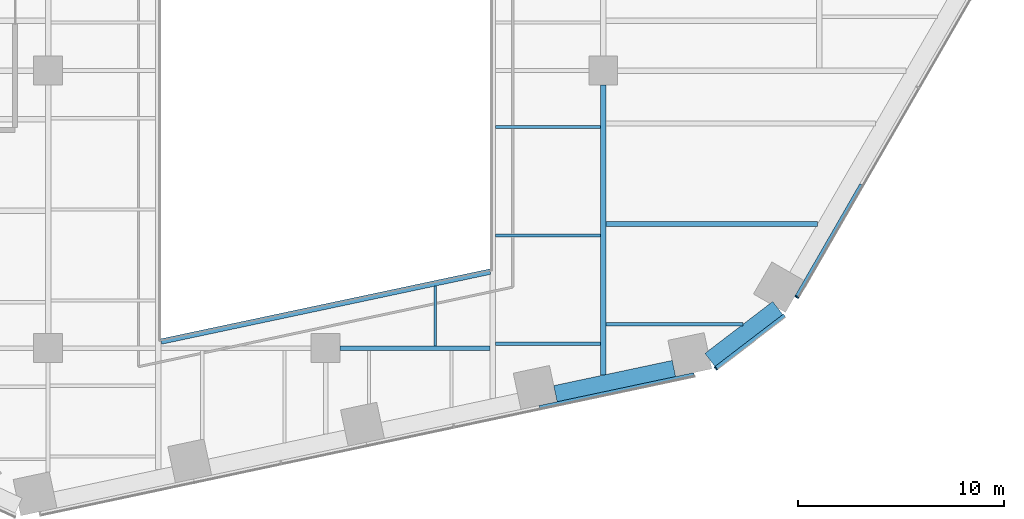
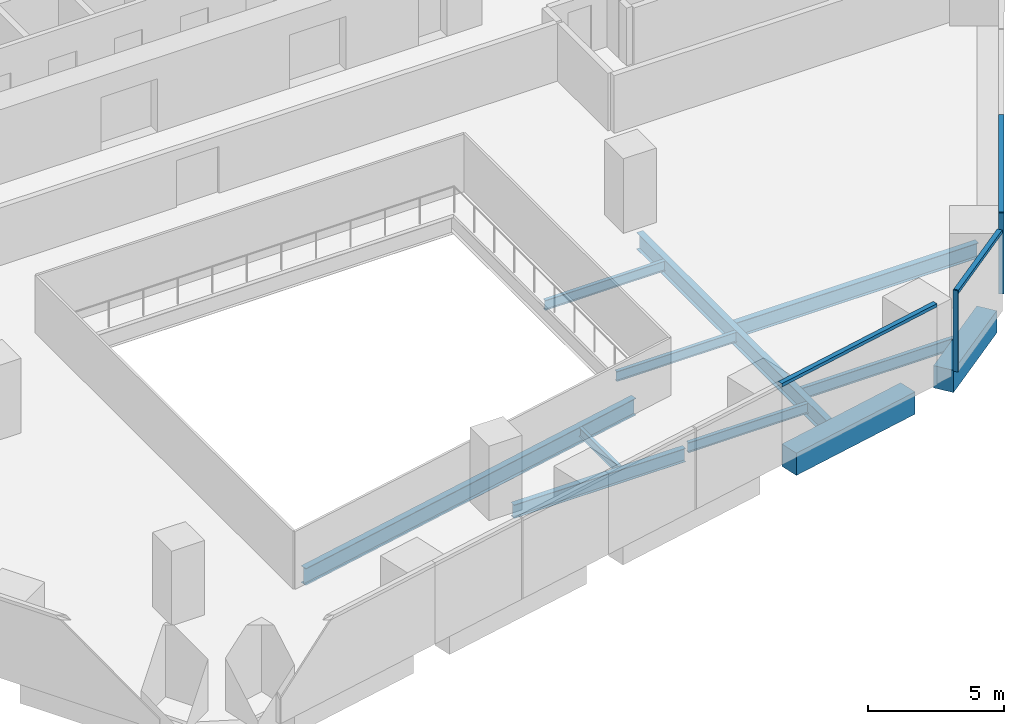
# One storey, part 5 of 20: 11 beams, 5 members, 3 elements without a shape of their own.
"""IFC4 building model written with IfcOpenShell, lengths in metres."""

from ifc_helpers import new_model, si_unit, direction, frame, origin, origin_2d, place, context, subcontext, project, spatial, rectangle, i_section, extrude, material, layer, layer_set, material_profile, profile_set, type_object, element, aggregate, save


model = new_model("IFC4")

# Units and contexts
model_context = context("Model", 3, precision=1e-05, world=origin(), true_north=direction((0.0, 1.0)))
body_context = subcontext(model_context, "Body", "Model", "MODEL_VIEW")
ifc_project = project(units=[si_unit("LENGTHUNIT", "METRE"), si_unit("AREAUNIT", "SQUARE_METRE"), si_unit("VOLUMEUNIT", "CUBIC_METRE"), si_unit("PLANEANGLEUNIT", "RADIAN"), si_unit("MASSUNIT", "GRAM", prefix="KILO")], contexts=[model_context])

# Site, building, storey
site_placement = place(None, origin())
site = spatial("IfcSite", under=ifc_project, at=site_placement, CompositionType="ELEMENT")
building_placement = place(site_placement, origin())
building = spatial("IfcBuilding", under=site, at=building_placement, Name="Isthmus Gate Tower", CompositionType="ELEMENT")
storey_placement = place(building_placement, frame((0.0, 0.0, 72.5)))
storey = spatial("IfcBuildingStorey", under=building, at=storey_placement, Name="L16", CompositionType="ELEMENT", Elevation=72.5)

# Curtain wall, member
ifc_material_1 = material(Name="Aluminium, pale champagne anodised", Category="aluminium")
ifc_layer = layer(ifc_material_1, 0.199951171875)
ifc_layer_set = layer_set([ifc_layer], Name="CW-1 UNITISED CURTAIN WALL 200 DEEP")
curtain_wall_type = type_object("IfcCurtainWallType", Name="CW-1 UNITISED CURTAIN WALL 200 DEEP", PredefinedType="NOTDEFINED", material=ifc_layer_set)
curtain_wall_1_placement = place(storey_placement, origin())
curtain_wall_1 = element("IfcCurtainWall", 1, at=curtain_wall_1_placement, inside=storey, type_object=curtain_wall_type, Name="CW-1 S-SE L16", PredefinedType="NOTDEFINED")
ifc_material_2 = material(Name="Aluminium, pale champagne anodised", Category="aluminium")
ifc_material_profile_1 = material_profile(ifc_material_2, rectangle(XDim=0.06005859375, YDim=0.199951171875, at=origin_2d()), Name="60x200")
ifc_profile_set_1 = profile_set([ifc_material_profile_1], Name="Aluminium, pale champagne anodised")
member_type_1 = type_object("IfcMemberType", Name="CW-1 MULLION 60 X 200", PredefinedType="MULLION", material=ifc_profile_set_1)
member_1_placement = place(storey_placement, frame((18.978759765625, -27.982421875, 0.0), z_axis=(0.0, 0.0, 1.0), x_axis=(0.794188594387, 0.607671355706, 0.0)))
member_1 = element("IfcMember", 2, at=member_1_placement, type_object=member_type_1, Name="CW-1 mullion", PredefinedType="MULLION", context=body_context, shape_type="SweptSolid", body=[
    extrude(rectangle(XDim=0.06005859375, YDim=0.199951171875, at=origin_2d()), origin(), (0.0, 0.0, 1.0), 3.64990234375),
])

curtain_wall_2_placement = place(storey_placement, origin())
curtain_wall_2 = element("IfcCurtainWall", 3, at=curtain_wall_2_placement, inside=storey, type_object=curtain_wall_type, Name="CW-1 SE L16", PredefinedType="NOTDEFINED")
member_2_placement = place(storey_placement, frame((22.91357421875, -24.5126953125, 0.0), z_axis=(0.0, 0.0, 1.0), x_axis=(0.5, 0.866025403784, 0.0)))
member_2 = element("IfcMember", 4, at=member_2_placement, type_object=member_type_1, Name="CW-1 mullion", PredefinedType="MULLION", context=body_context, shape_type="SweptSolid", body=[
    extrude(rectangle(XDim=0.06005859375, YDim=0.199951171875, at=origin_2d()), origin(), (0.0, 0.0, 1.0), 3.64990234375),
])

curtain_wall_3_placement = place(storey_placement, origin())
curtain_wall_3 = element("IfcCurtainWall", 5, at=curtain_wall_3_placement, inside=storey, type_object=curtain_wall_type, Name="CW-1 S L16", PredefinedType="NOTDEFINED")
ifc_material_3 = material(Name="Aluminium, pale champagne anodised", Category="aluminium")
ifc_material_profile_2 = material_profile(ifc_material_3, rectangle(XDim=0.199951171875, YDim=0.14990234375, at=origin_2d()), Name="200x150")
ifc_profile_set_2 = profile_set([ifc_material_profile_2], Name="Aluminium, pale champagne anodised")
member_type_2 = type_object("IfcMemberType", Name="CW-1 TRANSOM 200 X 150", PredefinedType="USERDEFINED", material=ifc_profile_set_2)
member_3_placement = place(storey_placement, frame((10.400146484375, -29.8916015625, 3.574951171875), z_axis=(0.978149085817, 0.207904703929, 0.0), x_axis=(-0.207904703929, 0.978149085817, 0.0)))
member_3 = element("IfcMember", 6, at=member_3_placement, type_object=member_type_2, Name="CW-1 transom", ObjectType="TRANSOM", PredefinedType="USERDEFINED", context=body_context, shape_type="SweptSolid", body=[
    extrude(rectangle(XDim=0.199951171875, YDim=0.14990234375, at=origin_2d()), origin(), (0.0, 0.0, 1.0), 7.689208984375),
])
aggregate(curtain_wall_3, [member_3])

# Member
member_4_placement = place(storey_placement, frame((19.002685546875, -27.96435546875, 3.574951171875), z_axis=(0.794175498212, 0.607688471209, 0.0), x_axis=(-0.607688471209, 0.794175498212, 0.0)))
member_4 = element("IfcMember", 7, at=member_4_placement, type_object=member_type_2, Name="CW-1 transom", ObjectType="TRANSOM", PredefinedType="USERDEFINED", context=body_context, shape_type="SweptSolid", body=[
    extrude(rectangle(XDim=0.199951171875, YDim=0.14990234375, at=origin_2d()), origin(), (0.0, 0.0, 1.0), 4.181396484375),
])

aggregate(curtain_wall_1, [member_1, member_4])

member_5_placement = place(storey_placement, frame((22.928466796875, -24.486572265625, 3.574951171875), z_axis=(0.50002426866, 0.866011391814, 0.0), x_axis=(-0.866011391814, 0.50002426866, 0.0)))
member_5 = element("IfcMember", 8, at=member_5_placement, type_object=member_type_2, Name="CW-1 transom", ObjectType="TRANSOM", PredefinedType="USERDEFINED", context=body_context, shape_type="SweptSolid", body=[
    extrude(rectangle(XDim=0.199951171875, YDim=0.14990234375, at=origin_2d()), origin(), (0.0, 0.0, 1.0), 6.278564453125),
])

aggregate(curtain_wall_2, [member_2, member_5])

# Beams
ifc_material_4 = material(Name="Concrete f'c 70 MPa", Category="concrete")
ifc_material_profile_3 = material_profile(ifc_material_4, rectangle(XDim=0.800048828125, YDim=1.0, at=origin_2d()), Name="RC 800X1000")
ifc_profile_set_3 = profile_set([ifc_material_profile_3], Name="Concrete f'c 70 MPa")
beam_type_1 = type_object("IfcBeamType", Name="RC SPANDREL 800 X 1000", PredefinedType="SPANDREL", material=ifc_profile_set_3)
beam_1_placement = place(storey_placement, frame((21.98681640625, -25.051513671875, -0.5), z_axis=(-0.794205941875, -0.607648682949, 0.0), x_axis=(0.607648682949, -0.794205941875, 0.0)))
element("IfcBeam", 9, at=beam_1_placement, inside=storey, type_object=beam_type_1, Name="str-spandrel-L16-09", PredefinedType="SPANDREL", context=body_context, shape_type="SweptSolid", body=[
    extrude(rectangle(XDim=0.800048828125, YDim=1.0, at=origin_2d()), origin(), (0.0, 0.0, 1.0), 4.15234375),
])
beam_2_placement = place(storey_placement, frame((16.937255859375, -27.990966796875, -0.5), z_axis=(-0.97815168619, -0.207892469327, 0.0), x_axis=(0.207892469327, -0.97815168619, 0.0)))
element("IfcBeam", 10, at=beam_2_placement, inside=storey, type_object=beam_type_1, Name="str-spandrel-L16-10", PredefinedType="SPANDREL", context=body_context, shape_type="SweptSolid", body=[
    extrude(rectangle(XDim=0.800048828125, YDim=1.0, at=origin_2d()), origin(), (0.0, 0.0, 1.0), 5.889404296875),
])
ifc_material_5 = material(Name="Structural steel ASTM A992 Gr 50", Category="steel")
ifc_material_profile_4 = material_profile(ifc_material_5, i_section(OverallWidth=0.1396484375, OverallDepth=0.4033203125, WebThickness=0.00634765625, FlangeThickness=0.010986328125, at=origin_2d()), Name="W16X31")
ifc_profile_set_4 = profile_set([ifc_material_profile_4], Name="Structural steel ASTM A992 Gr 50")
beam_type_2 = type_object("IfcBeamType", Name="STEEL FLOOR BEAM W16X31", PredefinedType="JOIST", material=ifc_profile_set_4)
beam_3_placement = place(storey_placement, frame((5.333251953125, -26.8857421875, -0.3515625), z_axis=(0.0, 1.0, 0.0), x_axis=(-1.0, 0.0, 0.0)))
element("IfcBeam", 11, at=beam_3_placement, inside=storey, type_object=beam_type_2, Name="str-beam-L16-17-00", PredefinedType="JOIST", context=body_context, shape_type="SweptSolid", body=[
    extrude(i_section(OverallWidth=0.1396484375, OverallDepth=0.4033203125, WebThickness=0.00634765625, FlangeThickness=0.010986328125, at=origin_2d()), origin(), (0.0, 0.0, 1.0), 2.903076171875),
])
ifc_material_6 = material(Name="Structural steel ASTM A992 Gr 50", Category="steel")
ifc_material_profile_5 = material_profile(ifc_material_6, i_section(OverallWidth=0.15234375, OverallDepth=0.45068359375, WebThickness=0.0078125, FlangeThickness=0.010986328125, at=origin_2d()), Name="W18X35")
ifc_profile_set_5 = profile_set([ifc_material_profile_5], Name="Structural steel ASTM A992 Gr 50")
beam_type_3 = type_object("IfcBeamType", Name="STEEL FLOOR BEAM W18X35", PredefinedType="JOIST", material=ifc_profile_set_5)
for number, where, z_axis, x_axis, name in (
    (12, (8.263427734375, -26.788818359375, -0.37548828125), (1.0, 0.0, 0.0), (0.0, 1.0, 0.0), "str-beam-L16-22-00"),
    (13, (8.263427734375, -21.51513671875, -0.37548828125), (1.0, 0.0, 0.0), (0.0, 1.0, 0.0), "str-beam-L16-22-01"),
    (14, (8.263427734375, -16.241455078125, -0.37548828125), (1.0, 0.0, 0.0), (0.0, 1.0, 0.0), "str-beam-L16-22-02"),
):
    element("IfcBeam", number, at=place(storey_placement, frame(where, z_axis=z_axis, x_axis=x_axis)), inside=storey, type_object=beam_type_3, Name=name, PredefinedType="JOIST", context=body_context, shape_type="SweptSolid", body=[
        extrude(i_section(OverallWidth=0.15234375, OverallDepth=0.45068359375, WebThickness=0.0078125, FlangeThickness=0.010986328125, at=origin_2d()), origin(), (0.0, 0.0, 1.0), 5.103271484375),
    ])
ifc_material_7 = material(Name="Structural steel ASTM A992 Gr 50", Category="steel")
ifc_material_profile_6 = material_profile(ifc_material_7, i_section(OverallWidth=0.1650390625, OverallDepth=0.52392578125, WebThickness=0.009521484375, FlangeThickness=0.010986328125, at=origin_2d()), Name="W21X44")
ifc_profile_set_6 = profile_set([ifc_material_profile_6], Name="Structural steel ASTM A992 Gr 50")
beam_type_4 = type_object("IfcBeamType", Name="STEEL FLOOR BEAM W21X44", PredefinedType="JOIST", material=ifc_profile_set_6)
beam_4_placement = place(storey_placement, frame((13.63330078125, -25.842529296875, -0.411865234375), z_axis=(1.0, 0.0, 0.0), x_axis=(0.0, 1.0, 0.0)))
element("IfcBeam", 15, at=beam_4_placement, inside=storey, type_object=beam_type_4, Name="str-beam-L16-28-00", PredefinedType="JOIST", context=body_context, shape_type="SweptSolid", body=[
    extrude(i_section(OverallWidth=0.1650390625, OverallDepth=0.52392578125, WebThickness=0.009521484375, FlangeThickness=0.010986328125, at=origin_2d()), origin(), (0.0, 0.0, 1.0), 6.661376953125),
])
ifc_material_8 = material(Name="Structural steel ASTM A992 Gr 50", Category="steel")
ifc_material_profile_7 = material_profile(ifc_material_8, i_section(OverallWidth=0.25390625, OverallDepth=0.679443359375, WebThickness=0.010986328125, FlangeThickness=0.015869140625, at=origin_2d()), Name="W27X84")
ifc_profile_set_7 = profile_set([ifc_material_profile_7], Name="Structural steel ASTM A992 Gr 50")
beam_type_5 = type_object("IfcBeamType", Name="STEEL FLOOR BEAM W27X84", PredefinedType="JOIST", material=ifc_profile_set_7)
beam_5_placement = place(storey_placement, frame((13.63330078125, -20.958740234375, -0.48974609375), z_axis=(1.0, 0.0, 0.0), x_axis=(0.0, 1.0, 0.0)))
element("IfcBeam", 16, at=beam_5_placement, inside=storey, type_object=beam_type_5, Name="str-beam-L16-28-01", PredefinedType="JOIST", context=body_context, shape_type="SweptSolid", body=[
    extrude(i_section(OverallWidth=0.25390625, OverallDepth=0.679443359375, WebThickness=0.010986328125, FlangeThickness=0.015869140625, at=origin_2d()), origin(), (0.0, 0.0, 1.0), 10.292724609375),
])
ifc_material_9 = material(Name="Structural steel ASTM A992 Gr 50", Category="steel")
ifc_material_profile_8 = material_profile(ifc_material_9, i_section(OverallWidth=0.228515625, OverallDepth=0.603271484375, WebThickness=0.010986328125, FlangeThickness=0.014404296875, at=origin_2d()), Name="W24X68")
ifc_profile_set_8 = profile_set([ifc_material_profile_8], Name="Structural steel ASTM A992 Gr 50")
beam_type_6 = type_object("IfcBeamType", Name="STEEL GIRDER W24X68", PredefinedType="BEAM", material=ifc_profile_set_8)
beam_6_placement = place(storey_placement, frame((0.699951171875, -27.0, -0.45166015625), z_axis=(1.0, 0.0, 0.0), x_axis=(0.0, 1.0, 0.0)))
element("IfcBeam", 17, at=beam_6_placement, inside=storey, type_object=beam_type_6, Name="str-girder-L16-04", PredefinedType="BEAM", context=body_context, shape_type="SweptSolid", body=[
    extrude(i_section(OverallWidth=0.228515625, OverallDepth=0.603271484375, WebThickness=0.010986328125, FlangeThickness=0.014404296875, at=origin_2d()), origin(), (0.0, 0.0, 1.0), 7.300048828125),
])
ifc_material_10 = material(Name="Structural steel ASTM A992 Gr 50", Category="steel")
ifc_material_profile_9 = material_profile(ifc_material_10, i_section(OverallWidth=0.2666015625, OverallDepth=0.7587890625, WebThickness=0.014404296875, FlangeThickness=0.01904296875, at=origin_2d()), Name="W30X108")
ifc_profile_set_9 = profile_set([ifc_material_profile_9], Name="Structural steel ASTM A992 Gr 50")
beam_type_7 = type_object("IfcBeamType", Name="STEEL GIRDER W30X108", PredefinedType="BEAM", material=ifc_profile_set_9)
beam_7_placement = place(storey_placement, frame((13.5, -28.3125, -0.529296875), z_axis=(0.0, 1.0, 0.0), x_axis=(-1.0, 0.0, 0.0)))
element("IfcBeam", 18, at=beam_7_placement, inside=storey, type_object=beam_type_7, Name="str-girder-L16-31", PredefinedType="BEAM", context=body_context, shape_type="SweptSolid", body=[
    extrude(i_section(OverallWidth=0.2666015625, OverallDepth=0.7587890625, WebThickness=0.014404296875, FlangeThickness=0.01904296875, at=origin_2d()), origin(), (0.0, 0.0, 1.0), 14.112548828125),
])
ifc_material_11 = material(Name="Structural steel ASTM A992 Gr 50", Category="steel")
ifc_material_profile_10 = material_profile(ifc_material_11, i_section(OverallWidth=0.2666015625, OverallDepth=0.7587890625, WebThickness=0.014404296875, FlangeThickness=0.01904296875, at=origin_2d()), Name="W30X108")
ifc_profile_set_10 = profile_set([ifc_material_profile_10], Name="Structural steel ASTM A992 Gr 50")
beam_type_8 = type_object("IfcBeamType", Name="STEEL TRIMMER W30X108", PredefinedType="BEAM", material=ifc_profile_set_10)
beam_8_placement = place(storey_placement, frame((-8.0, -26.680419921875, -0.529296875), z_axis=(0.978147924985, 0.20791016533, 0.0), x_axis=(-0.20791016533, 0.978147924985, 0.0)))
element("IfcBeam", 19, at=beam_8_placement, inside=storey, type_object=beam_type_8, Name="str-trimmer-L16-03", PredefinedType="BEAM", context=body_context, shape_type="SweptSolid", body=[
    extrude(i_section(OverallWidth=0.2666015625, OverallDepth=0.7587890625, WebThickness=0.014404296875, FlangeThickness=0.01904296875, at=origin_2d()), origin(), (0.0, 0.0, 1.0), 16.357421875),
])

save(model, "model.ifc")
